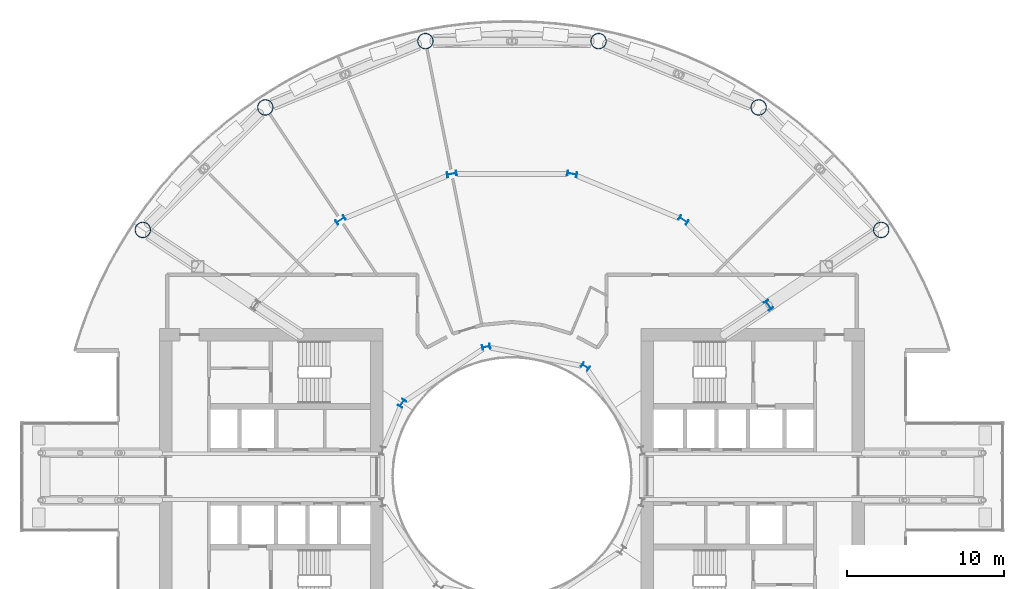
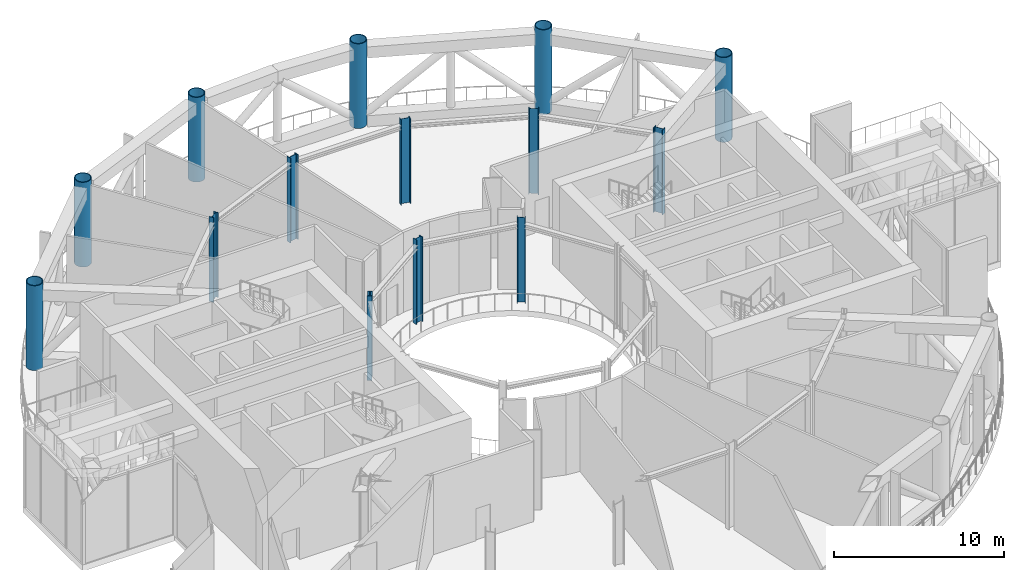
# One storey, part 3 of 22: 14 columns.
"""IFC4 building model written with IfcOpenShell, lengths in metres."""

from ifc_helpers import new_model, si_unit, direction, frame, origin, origin_2d, place, context, subcontext, project, spatial, hollow_circle, i_section, extrude, material, material_profile, profile_set, type_object, element, save


model = new_model("IFC4")

# Units and contexts
model_context = context("Model", 3, precision=1e-05, world=origin(), true_north=direction((0.0, 1.0)))
body_context = subcontext(model_context, "Body", "Model", "MODEL_VIEW")
ifc_project = project(units=[si_unit("LENGTHUNIT", "METRE"), si_unit("AREAUNIT", "SQUARE_METRE"), si_unit("VOLUMEUNIT", "CUBIC_METRE"), si_unit("PLANEANGLEUNIT", "RADIAN"), si_unit("MASSUNIT", "GRAM", prefix="KILO")], contexts=[model_context])

# Site, building, storey
site_placement = place(None, origin())
site = spatial("IfcSite", under=ifc_project, at=site_placement, CompositionType="ELEMENT")
building_placement = place(site_placement, origin())
building = spatial("IfcBuilding", under=site, at=building_placement, Name="Maasbend Ring Residences", CompositionType="ELEMENT")
storey_placement = place(building_placement, frame((0.0, 0.0, 57.5)))
storey = spatial("IfcBuildingStorey", under=building, at=storey_placement, Name="L16", CompositionType="ELEMENT", Elevation=57.5)

# Columns
ifc_material_1 = material(Name="Composite concrete-filled steel tube S460NH / C80/95", Category="concrete")
ifc_material_profile_1 = material_profile(ifc_material_1, hollow_circle(Radius=0.508056640625, WallThickness=0.050048828125, at=origin_2d()), Name="Composite tube column CHS 1016x50")
ifc_profile_set_1 = profile_set([ifc_material_profile_1], Name="Composite concrete-filled steel tube S460NH / C80/95")
column_type_1 = type_object("IfcColumnType", Name="Composite tube column CHS 1016x50", PredefinedType="COLUMN", material=ifc_profile_set_1)
for number, where, z_axis, x_axis, name in (
    (1, (23.447509765625, 15.6669921875, 0.0), (0.0, 0.0, 1.0), (1.0, 0.0, 0.0), "Outer column R2"),
    (2, (15.6669921875, 23.447509765625, 0.0), (0.0, 0.0, 1.0), (1.0, 0.0, 0.0), "Outer column R3"),
    (3, (5.50146484375, 27.658203125, 0.0), (0.0, 0.0, 1.0), (1.0, 0.0, 0.0), "Outer column R4"),
    (4, (-5.50146484375, 27.658203125, 0.0), (0.0, 0.0, 1.0), (1.0, 0.0, 0.0), "Outer column R5"),
    (5, (-15.6669921875, 23.447509765625, 0.0), (0.0, 0.0, 1.0), (1.0, 0.0, 0.0), "Outer column R6"),
    (6, (-23.447509765625, 15.6669921875, 0.0), (0.0, 0.0, 1.0), (1.0, 0.0, 0.0), "Outer column R7"),
):
    element("IfcColumn", number, at=place(storey_placement, frame(where, z_axis=z_axis, x_axis=x_axis)), inside=storey, type_object=column_type_1, Name=name, PredefinedType="COLUMN", context=body_context, shape_type="SweptSolid", body=[
        extrude(hollow_circle(Radius=0.508056640625, WallThickness=0.050048828125, at=origin_2d()), origin(), (0.0, 0.0, 1.0), 6.10009765625),
    ])
ifc_material_2 = material(Name="Steel S355J2", Category="steel")
ifc_material_profile_2 = material_profile(ifc_material_2, i_section(OverallWidth=0.300048828125, OverallDepth=0.5, WebThickness=0.014404296875, FlangeThickness=0.028076171875, FilletRadius=0.027099609375, at=origin_2d()), Name="HEB 500")
ifc_profile_set_2 = profile_set([ifc_material_profile_2], Name="Steel S355J2")
column_type_2 = type_object("IfcColumnType", Name="Steel column HEB 500", PredefinedType="COLUMN", material=ifc_profile_set_2)
for number, where, z_axis, x_axis, name in (
    (7, (4.666748046875, 6.984375, 0.0), (0.0, 0.0, 1.0), (0.55557023302, 0.831469612303, 0.0), "Well ring column R3"),
    (8, (-1.638916015625, 8.238525390625, 0.0), (0.0, 0.0, 1.0), (-0.195090322016, 0.980785280403, 0.0), "Well ring column R5"),
    (9, (-6.984375, 4.666748046875, 0.0), (0.0, 0.0, 1.0), (-0.831469612303, 0.55557023302, 0.0), "Well ring column R7"),
):
    element("IfcColumn", number, at=place(storey_placement, frame(where, z_axis=z_axis, x_axis=x_axis)), inside=storey, type_object=column_type_2, Name=name, PredefinedType="COLUMN", context=body_context, shape_type="SweptSolid", body=[
        extrude(i_section(OverallWidth=0.300048828125, OverallDepth=0.5, WebThickness=0.014404296875, FlangeThickness=0.028076171875, FilletRadius=0.027099609375, at=origin_2d()), origin(), (0.0, 0.0, 1.0), 6.10009765625),
    ])
ifc_material_3 = material(Name="Steel S460M", Category="steel")
ifc_material_profile_3 = material_profile(ifc_material_3, i_section(OverallWidth=0.304931640625, OverallDepth=0.6201171875, WebThickness=0.02099609375, FlangeThickness=0.0400390625, FilletRadius=0.027099609375, at=origin_2d()), Name="HEM 600")
ifc_profile_set_3 = profile_set([ifc_material_profile_3], Name="Steel S460M")
column_type_3 = type_object("IfcColumnType", Name="Steel column HEM 600", PredefinedType="COLUMN", material=ifc_profile_set_3)
for number, where, z_axis, x_axis, name in (
    (10, (16.296875, 10.88916015625, 0.0), (0.0, 0.0, 1.0), (0.831469612303, 0.55557023302, 0.0), "Corridor ring column R2"),
    (11, (10.88916015625, 16.296875, 0.0), (0.0, 0.0, 1.0), (0.55557023302, 0.831469612303, 0.0), "Corridor ring column R3"),
    (12, (3.82373046875, 19.223388671875, 0.0), (0.0, 0.0, 1.0), (0.195090322016, 0.980785280403, 0.0), "Corridor ring column R4"),
    (13, (-3.82373046875, 19.223388671875, 0.0), (0.0, 0.0, 1.0), (-0.195090322016, 0.980785280403, 0.0), "Corridor ring column R5"),
    (14, (-10.88916015625, 16.296875, 0.0), (0.0, 0.0, 1.0), (-0.55557023302, 0.831469612303, 0.0), "Corridor ring column R6"),
):
    element("IfcColumn", number, at=place(storey_placement, frame(where, z_axis=z_axis, x_axis=x_axis)), inside=storey, type_object=column_type_3, Name=name, PredefinedType="COLUMN", context=body_context, shape_type="SweptSolid", body=[
        extrude(i_section(OverallWidth=0.304931640625, OverallDepth=0.6201171875, WebThickness=0.02099609375, FlangeThickness=0.0400390625, FilletRadius=0.027099609375, at=origin_2d()), origin(), (0.0, 0.0, 1.0), 6.10009765625),
    ])

save(model, "model.ifc")
